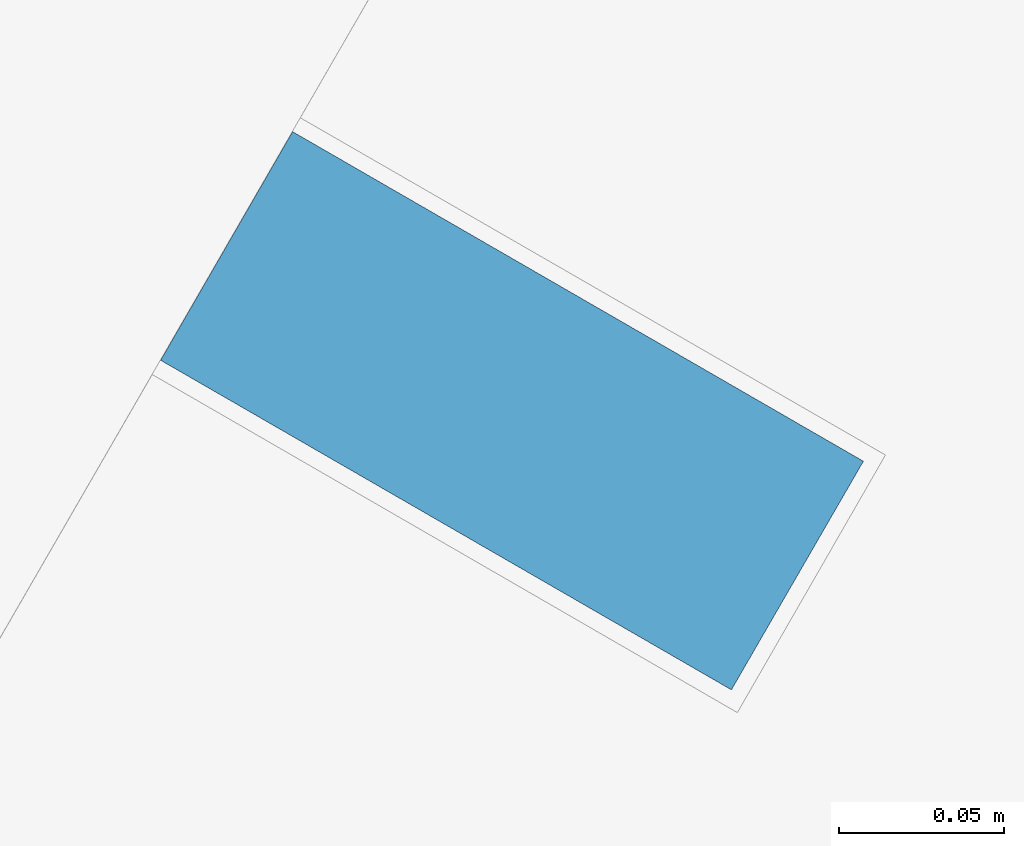
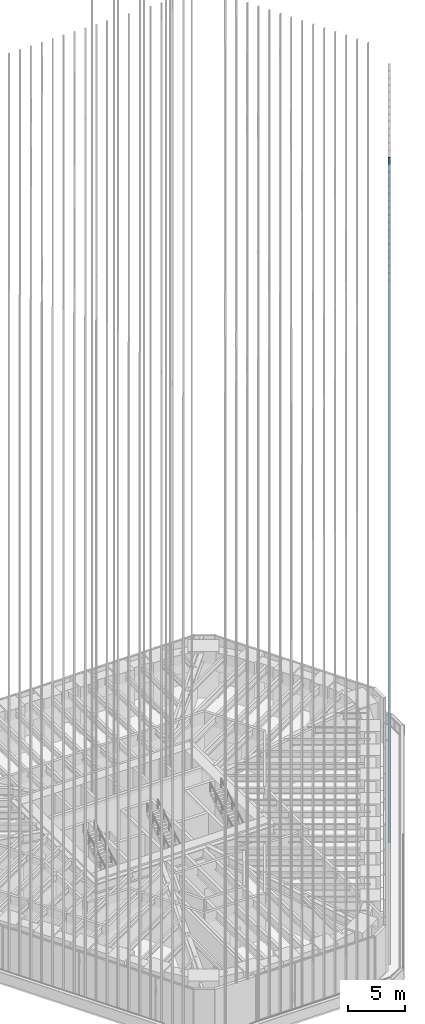
# One storey, part 106 of 228: 1 member, 1 element without a shape of its own.
"""IFC4 building model written with IfcOpenShell, lengths in metres."""

from ifc_helpers import new_model, si_unit, direction, frame, origin, origin_2d, place, context, subcontext, project, spatial, rectangle, extrude, material, material_profile, profile_set, type_object, element, aggregate, save


model = new_model("IFC4")

# Units and contexts
model_context = context("Model", 3, precision=1e-05, world=origin(), true_north=direction((0.0, 1.0)))
body_context = subcontext(model_context, "Body", "Model", "MODEL_VIEW")
ifc_project = project(units=[si_unit("LENGTHUNIT", "METRE"), si_unit("AREAUNIT", "SQUARE_METRE"), si_unit("VOLUMEUNIT", "CUBIC_METRE"), si_unit("PLANEANGLEUNIT", "RADIAN"), si_unit("MASSUNIT", "GRAM", prefix="KILO")], contexts=[model_context])

# Site, building, storey
site_placement = place(None, origin())
site = spatial("IfcSite", under=ifc_project, at=site_placement, CompositionType="ELEMENT")
building_placement = place(site_placement, origin())
building = spatial("IfcBuilding", under=site, at=building_placement, Name="Sandreach Pilgrim Tower", CompositionType="ELEMENT")
storey_placement = place(building_placement, frame((0.0, 0.0, 178.199951171875)))
storey = spatial("IfcBuildingStorey", under=building, at=storey_placement, Name="L44", CompositionType="ELEMENT", Elevation=178.199951171875)

# Curtain wall, member
ifc_material_1 = material(Name="Aluminium framed curtain wall", Category="aluminium")
curtain_wall_type = type_object("IfcCurtainWallType", Name="Upper hotel tower curtain wall", PredefinedType="NOTDEFINED", material=ifc_material_1)
curtain_wall_placement = place(storey_placement, origin())
curtain_wall = element("IfcCurtainWall", 1, at=curtain_wall_placement, inside=storey, type_object=curtain_wall_type, Name="CW-3 L44 SE", PredefinedType="NOTDEFINED")
ifc_material_2 = material(Name="Extruded terracotta on aluminium core", Category="masonry")
ifc_material_profile = material_profile(ifc_material_2, rectangle(XDim=0.080078125, YDim=0.199951171875, at=origin_2d()), Name="TBE 80X200")
ifc_profile_set = profile_set([ifc_material_profile], Name="Extruded terracotta on aluminium core")
member_type = type_object("IfcMemberType", Name="Terracotta baguette east", PredefinedType="USERDEFINED", material=ifc_profile_set)
member_placement = place(storey_placement, frame((19.77294921875, -8.87255859375, 0.0), z_axis=(0.0, 0.0, 1.0), x_axis=(-0.5, -0.866025403784, 0.0)))
member = element("IfcMember", 2, at=member_placement, type_object=member_type, Name="Baguette Z3 SE14", ObjectType="BAGUETTE", PredefinedType="USERDEFINED", context=body_context, shape_type="SweptSolid", body=[
    extrude(rectangle(XDim=0.080078125, YDim=0.199951171875, at=origin_2d()), origin(), (0.0, 0.0, 1.0), 73.239990234375),
])
aggregate(curtain_wall, [member])

save(model, "model.ifc")
